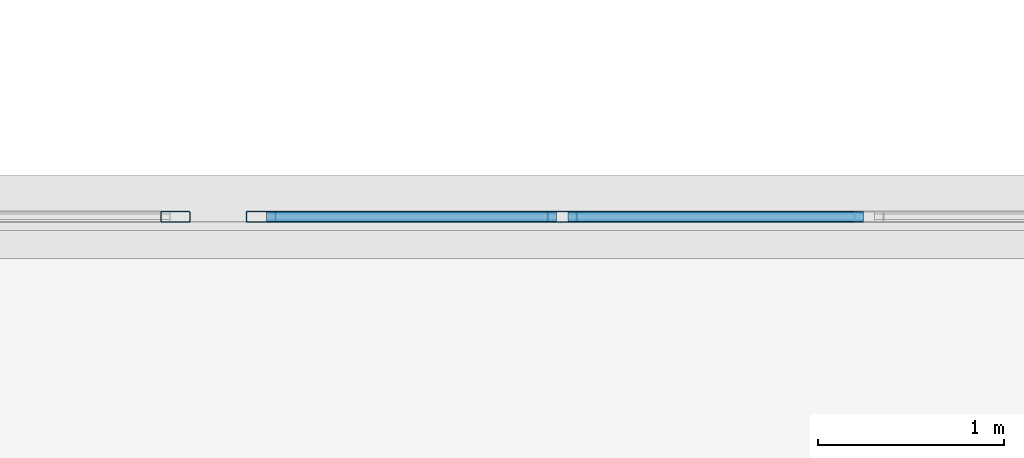
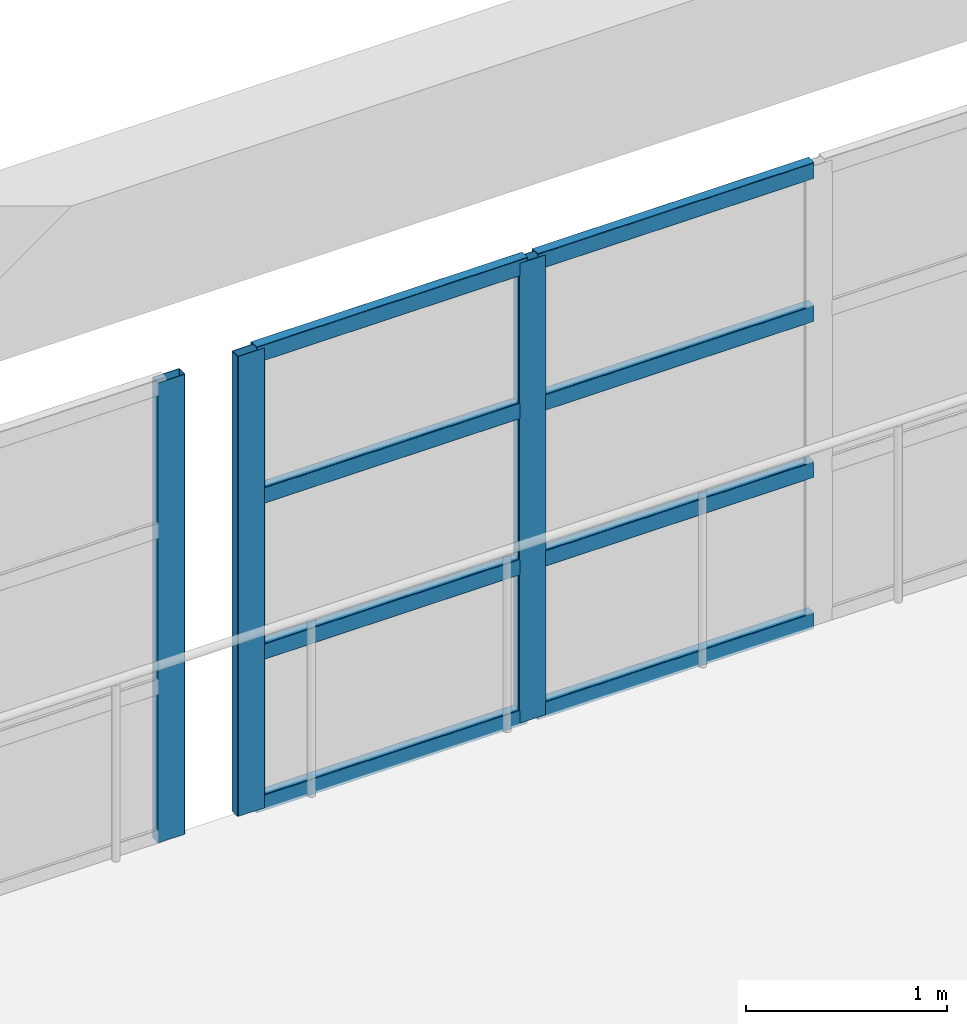
# One storey, part 33 of 101: 11 members, 2 elements without a shape of their own.
"""IFC4 building model written with IfcOpenShell, lengths in metres."""

from ifc_helpers import new_model, si_unit, direction, frame, origin, origin_2d, place, context, subcontext, project, spatial, hollow_rectangle, extrude, material, material_profile, profile_set, type_object, element, aggregate, save


model = new_model("IFC4")

# Units and contexts
model_context = context("Model", 3, precision=1e-05, world=origin(), true_north=direction((0.0, 1.0)))
body_context = subcontext(model_context, "Body", "Model", "MODEL_VIEW")
ifc_project = project(units=[si_unit("LENGTHUNIT", "METRE"), si_unit("AREAUNIT", "SQUARE_METRE"), si_unit("VOLUMEUNIT", "CUBIC_METRE"), si_unit("PLANEANGLEUNIT", "RADIAN"), si_unit("MASSUNIT", "GRAM", prefix="KILO")], contexts=[model_context])

# Site, building, storey
site_placement = place(None, origin())
site = spatial("IfcSite", under=ifc_project, at=site_placement, CompositionType="ELEMENT")
building_placement = place(site_placement, origin())
building = spatial("IfcBuilding", under=site, at=building_placement, Name="Qasida Concert Hall", CompositionType="ELEMENT")
storey_placement = place(building_placement, frame((0.0, 0.0, 13.199951171875)))
storey = spatial("IfcBuildingStorey", under=building, at=storey_placement, Name="L03", CompositionType="ELEMENT", Elevation=13.199951171875)

# Curtain wall, member
ifc_material_1 = material(Name="Architectural bronze-anodized aluminium and low-E glass", Category="aluminium")
curtain_wall_type = type_object("IfcCurtainWallType", Name="CW-09", PredefinedType="NOTDEFINED", material=ifc_material_1)
curtain_wall_1_placement = place(storey_placement, origin())
curtain_wall_1 = element("IfcCurtainWall", 1, at=curtain_wall_1_placement, inside=storey, type_object=curtain_wall_type, Name="L03 link bridge glazing 0207", PredefinedType="NOTDEFINED")
ifc_material_2 = material(Name="Architectural bronze-anodized aluminium EN AW-6063", Category="aluminium")
ifc_material_profile_1 = material_profile(ifc_material_2, hollow_rectangle(XDim=0.06005859375, YDim=0.159912109375, WallThickness=0.00390625, InnerFilletRadius=0.00390625, OuterFilletRadius=0.008056640625, at=origin_2d()), Name="CWM 160x60x4")
ifc_profile_set_1 = profile_set([ifc_material_profile_1], Name="Architectural bronze-anodized aluminium EN AW-6063")
member_type_1 = type_object("IfcMemberType", Name="MB-CWM-3", PredefinedType="MULLION", material=ifc_profile_set_1)
member_1_placement = place(storey_placement, frame((44.77001953125, 37.5, 0.0), z_axis=(0.0, 0.0, 1.0), x_axis=(0.0, 1.0, 0.0)))
member_1 = element("IfcMember", 2, at=member_1_placement, type_object=member_type_1, Name="CW-09 mullion 5", PredefinedType="MULLION", context=body_context, shape_type="SweptSolid", body=[
    extrude(hollow_rectangle(XDim=0.06005859375, YDim=0.159912109375, WallThickness=0.00390625, InnerFilletRadius=0.00390625, OuterFilletRadius=0.008056640625, at=origin_2d()), origin(), (0.0, 0.0, 1.0), 2.800048828125),
])
aggregate(curtain_wall_1, [member_1])

# Curtain wall, members
curtain_wall_2_placement = place(storey_placement, origin())
curtain_wall_2 = element("IfcCurtainWall", 3, at=curtain_wall_2_placement, inside=storey, type_object=curtain_wall_type, Name="L03 link bridge glazing 0209", PredefinedType="NOTDEFINED")
member_2_placement = place(storey_placement, frame((45.22998046875, 37.5, 0.0), z_axis=(0.0, 0.0, 1.0), x_axis=(0.0, 1.0, 0.0)))
member_2 = element("IfcMember", 4, at=member_2_placement, type_object=member_type_1, Name="CW-09 mullion 1", PredefinedType="MULLION", context=body_context, shape_type="SweptSolid", body=[
    extrude(hollow_rectangle(XDim=0.06005859375, YDim=0.159912109375, WallThickness=0.00390625, InnerFilletRadius=0.00390625, OuterFilletRadius=0.008056640625, at=origin_2d()), origin(), (0.0, 0.0, 1.0), 2.800048828125),
])
member_3_placement = place(storey_placement, frame((46.85009765625, 37.5, 0.0), z_axis=(0.0, 0.0, 1.0), x_axis=(0.0, 1.0, 0.0)))
member_3 = element("IfcMember", 5, at=member_3_placement, type_object=member_type_1, Name="CW-09 mullion 2", PredefinedType="MULLION", context=body_context, shape_type="SweptSolid", body=[
    extrude(hollow_rectangle(XDim=0.06005859375, YDim=0.159912109375, WallThickness=0.00390625, InnerFilletRadius=0.00390625, OuterFilletRadius=0.008056640625, at=origin_2d()), origin(), (0.0, 0.0, 1.0), 2.800048828125),
])
ifc_material_profile_2 = material_profile(ifc_material_2, hollow_rectangle(XDim=0.06005859375, YDim=0.10009765625, WallThickness=0.00341796875, InnerFilletRadius=0.00341796875, OuterFilletRadius=0.007080078125, at=origin_2d()), Name="CWT 100x60x3.5")
ifc_profile_set_2 = profile_set([ifc_material_profile_2], Name="Architectural bronze-anodized aluminium EN AW-6063")
member_type_2 = type_object("IfcMemberType", Name="MB-CWT-3", PredefinedType="USERDEFINED", material=ifc_profile_set_2)
member_4_placement = place(storey_placement, frame((45.260009765625, 37.5, 0.030029296875), z_axis=(1.0, 0.0, 0.0), x_axis=(0.0, 1.0, 0.0)))
member_4 = element("IfcMember", 6, at=member_4_placement, type_object=member_type_2, Name="CW-09 transom 1.1", ObjectType="TRANSOM", PredefinedType="USERDEFINED", context=body_context, shape_type="SweptSolid", body=[
    extrude(hollow_rectangle(XDim=0.06005859375, YDim=0.10009765625, WallThickness=0.00341796875, InnerFilletRadius=0.00341796875, OuterFilletRadius=0.007080078125, at=origin_2d()), origin(), (0.0, 0.0, 1.0), 1.56005859375),
])
member_5_placement = place(storey_placement, frame((45.260009765625, 37.5, 0.949951171875), z_axis=(1.0, 0.0, 0.0), x_axis=(0.0, 1.0, 0.0)))
member_5 = element("IfcMember", 7, at=member_5_placement, type_object=member_type_2, Name="CW-09 transom 1.2", ObjectType="TRANSOM", PredefinedType="USERDEFINED", context=body_context, shape_type="SweptSolid", body=[
    extrude(hollow_rectangle(XDim=0.06005859375, YDim=0.10009765625, WallThickness=0.00341796875, InnerFilletRadius=0.00341796875, OuterFilletRadius=0.007080078125, at=origin_2d()), origin(), (0.0, 0.0, 1.0), 1.56005859375),
])
member_6_placement = place(storey_placement, frame((45.260009765625, 37.5, 1.900146484375), z_axis=(1.0, 0.0, 0.0), x_axis=(0.0, 1.0, 0.0)))
member_6 = element("IfcMember", 8, at=member_6_placement, type_object=member_type_2, Name="CW-09 transom 1.3", ObjectType="TRANSOM", PredefinedType="USERDEFINED", context=body_context, shape_type="SweptSolid", body=[
    extrude(hollow_rectangle(XDim=0.06005859375, YDim=0.10009765625, WallThickness=0.00341796875, InnerFilletRadius=0.00341796875, OuterFilletRadius=0.007080078125, at=origin_2d()), origin(), (0.0, 0.0, 1.0), 1.56005859375),
])
member_7_placement = place(storey_placement, frame((45.260009765625, 37.5, 2.77001953125), z_axis=(1.0, 0.0, 0.0), x_axis=(0.0, 1.0, 0.0)))
member_7 = element("IfcMember", 9, at=member_7_placement, type_object=member_type_2, Name="CW-09 transom 1.4", ObjectType="TRANSOM", PredefinedType="USERDEFINED", context=body_context, shape_type="SweptSolid", body=[
    extrude(hollow_rectangle(XDim=0.06005859375, YDim=0.10009765625, WallThickness=0.00341796875, InnerFilletRadius=0.00341796875, OuterFilletRadius=0.007080078125, at=origin_2d()), origin(), (0.0, 0.0, 1.0), 1.56005859375),
])
member_8_placement = place(storey_placement, frame((46.8798828125, 37.5, 0.030029296875), z_axis=(1.0, 0.0, 0.0), x_axis=(0.0, 1.0, 0.0)))
member_8 = element("IfcMember", 10, at=member_8_placement, type_object=member_type_2, Name="CW-09 transom 2.1", ObjectType="TRANSOM", PredefinedType="USERDEFINED", context=body_context, shape_type="SweptSolid", body=[
    extrude(hollow_rectangle(XDim=0.06005859375, YDim=0.10009765625, WallThickness=0.00341796875, InnerFilletRadius=0.00341796875, OuterFilletRadius=0.007080078125, at=origin_2d()), origin(), (0.0, 0.0, 1.0), 1.590087890625),
])
member_9_placement = place(storey_placement, frame((46.8798828125, 37.5, 0.949951171875), z_axis=(1.0, 0.0, 0.0), x_axis=(0.0, 1.0, 0.0)))
member_9 = element("IfcMember", 11, at=member_9_placement, type_object=member_type_2, Name="CW-09 transom 2.2", ObjectType="TRANSOM", PredefinedType="USERDEFINED", context=body_context, shape_type="SweptSolid", body=[
    extrude(hollow_rectangle(XDim=0.06005859375, YDim=0.10009765625, WallThickness=0.00341796875, InnerFilletRadius=0.00341796875, OuterFilletRadius=0.007080078125, at=origin_2d()), origin(), (0.0, 0.0, 1.0), 1.590087890625),
])
member_10_placement = place(storey_placement, frame((46.8798828125, 37.5, 1.900146484375), z_axis=(1.0, 0.0, 0.0), x_axis=(0.0, 1.0, 0.0)))
member_10 = element("IfcMember", 12, at=member_10_placement, type_object=member_type_2, Name="CW-09 transom 2.3", ObjectType="TRANSOM", PredefinedType="USERDEFINED", context=body_context, shape_type="SweptSolid", body=[
    extrude(hollow_rectangle(XDim=0.06005859375, YDim=0.10009765625, WallThickness=0.00341796875, InnerFilletRadius=0.00341796875, OuterFilletRadius=0.007080078125, at=origin_2d()), origin(), (0.0, 0.0, 1.0), 1.590087890625),
])
member_11_placement = place(storey_placement, frame((46.8798828125, 37.5, 2.77001953125), z_axis=(1.0, 0.0, 0.0), x_axis=(0.0, 1.0, 0.0)))
member_11 = element("IfcMember", 13, at=member_11_placement, type_object=member_type_2, Name="CW-09 transom 2.4", ObjectType="TRANSOM", PredefinedType="USERDEFINED", context=body_context, shape_type="SweptSolid", body=[
    extrude(hollow_rectangle(XDim=0.06005859375, YDim=0.10009765625, WallThickness=0.00341796875, InnerFilletRadius=0.00341796875, OuterFilletRadius=0.007080078125, at=origin_2d()), origin(), (0.0, 0.0, 1.0), 1.590087890625),
])
aggregate(curtain_wall_2, [member_2, member_3, member_4, member_5, member_6, member_7, member_8, member_9, member_10, member_11])

save(model, "model.ifc")
